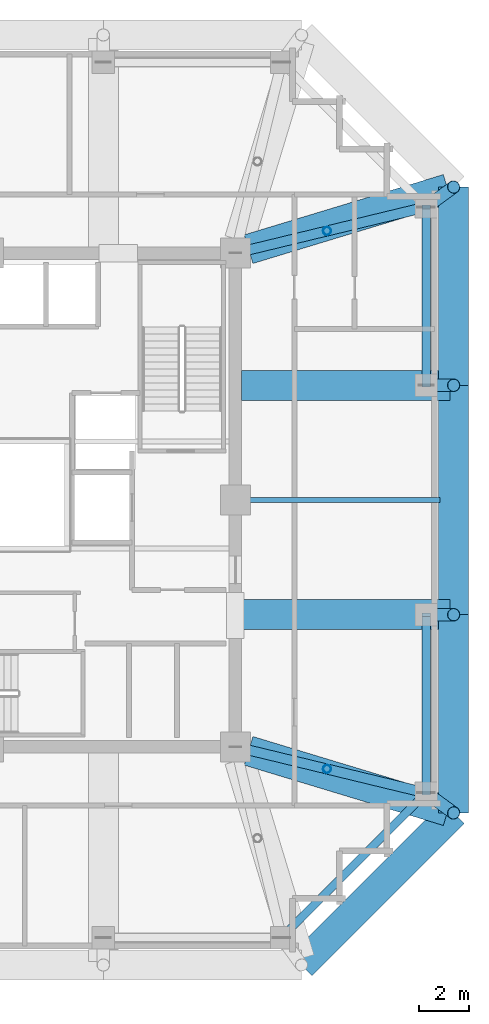
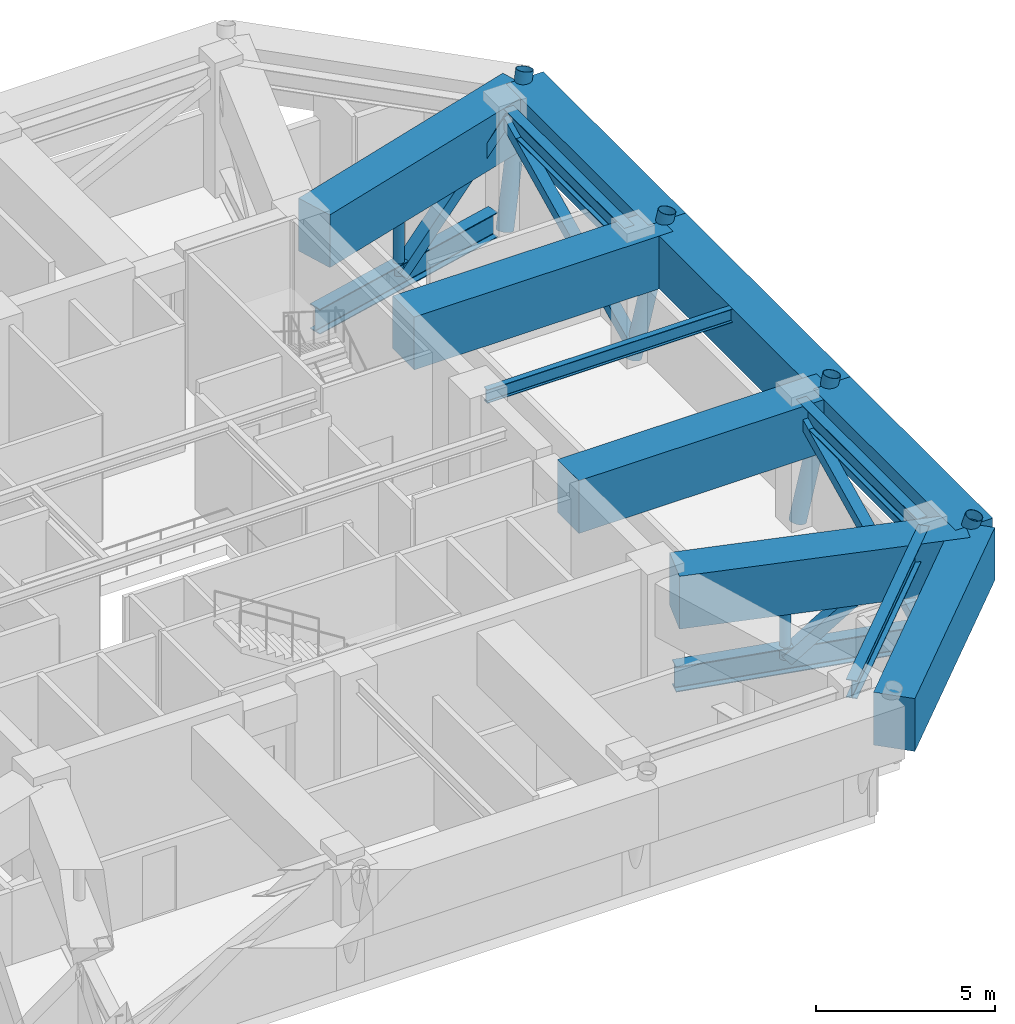
# One storey, part 4 of 12: 14 beams, 10 members.
"""IFC4 building model written with IfcOpenShell, lengths in metres."""

from ifc_helpers import new_model, si_unit, direction, frame, origin, origin_2d, place, context, subcontext, project, spatial, rectangle, hollow_rectangle, hollow_circle, i_section, extrude, material, material_profile, profile_set, type_object, element, save


model = new_model("IFC4")

# Units and contexts
model_context = context("Model", 3, precision=1e-05, world=origin(), true_north=direction((0.0, 1.0)))
body_context = subcontext(model_context, "Body", "Model", "MODEL_VIEW")
ifc_project = project(units=[si_unit("LENGTHUNIT", "METRE"), si_unit("AREAUNIT", "SQUARE_METRE"), si_unit("VOLUMEUNIT", "CUBIC_METRE"), si_unit("PLANEANGLEUNIT", "RADIAN"), si_unit("MASSUNIT", "GRAM", prefix="KILO")], contexts=[model_context])

# Site, building, storey
site_placement = place(None, origin())
site = spatial("IfcSite", under=ifc_project, at=site_placement, CompositionType="ELEMENT")
building_placement = place(site_placement, origin())
building = spatial("IfcBuilding", under=site, at=building_placement, Name="Kolvaren Belvedere", CompositionType="ELEMENT")
storey_placement = place(building_placement, frame((0.0, 0.0, 148.10009765625)))
storey = spatial("IfcBuildingStorey", under=building, at=storey_placement, Name="L43", CompositionType="ELEMENT", Elevation=148.10009765625)

# Beams
ifc_material_1 = material(Name="Structural steel ASTM A992 Grade 50", Category="steel")
ifc_material_profile_1 = material_profile(ifc_material_1, i_section(OverallWidth=0.39990234375, OverallDepth=0.85595703125, WebThickness=0.018310546875, FlangeThickness=0.029296875, FilletRadius=0.02490234375, at=origin_2d()), Name="W33X201")
ifc_profile_set_1 = profile_set([ifc_material_profile_1], Name="Structural steel ASTM A992 Grade 50")
beam_type_1 = type_object("IfcBeamType", Name="BM-GIRD-W33X201", PredefinedType="BEAM", material=ifc_profile_set_1)
for number, where, z_axis, x_axis, name in (
    (1, (10.4345703125, -10.029296875, 0.47998046875), (0.971980384182, -0.235061976433, 0.0), (0.235061976433, 0.971980384182, 0.0), "L43 Outrigger Truss Bottom Chord OB-4"),
    (2, (10.4345703125, 10.029296875, 0.47998046875), (0.971980384182, 0.235061976433, 0.0), (-0.235061976433, 0.971980384182, 0.0), "L43 Outrigger Truss Bottom Chord OB-6"),
):
    element("IfcBeam", number, at=place(storey_placement, frame(where, z_axis=z_axis, x_axis=x_axis)), inside=storey, type_object=beam_type_1, Name=name, PredefinedType="BEAM", context=body_context, shape_type="SweptSolid", body=[
        extrude(i_section(OverallWidth=0.39990234375, OverallDepth=0.85595703125, WebThickness=0.018310546875, FlangeThickness=0.029296875, FilletRadius=0.02490234375, at=origin_2d()), origin(), (0.0, 0.0, 1.0), 6.87060546875),
    ])
ifc_material_2 = material(Name="Structural steel ASTM A992 Grade 50", Category="steel")
ifc_material_profile_2 = material_profile(ifc_material_2, i_section(OverallWidth=0.19091796875, OverallDepth=0.4599609375, WebThickness=0.010009765625, FlangeThickness=0.01611328125, FilletRadius=0.014892578125, at=origin_2d()), Name="W18X55")
ifc_profile_set_2 = profile_set([ifc_material_profile_2], Name="Structural steel ASTM A992 Grade 50")
beam_type_2 = type_object("IfcBeamType", Name="BM-JOIST-W18X55", PredefinedType="BEAM", material=ifc_profile_set_2)
beam_1_placement = place(storey_placement, frame((10.14990234375, 0.0, 4.06982421875), z_axis=(1.0, 0.0, 0.0), x_axis=(0.0, 1.0, 0.0)))
element("IfcBeam", 3, at=beam_1_placement, inside=storey, type_object=beam_type_2, Name="L43 East Centre Floor Beam", PredefinedType="BEAM", context=body_context, shape_type="SweptSolid", body=[
    extrude(i_section(OverallWidth=0.19091796875, OverallDepth=0.4599609375, WebThickness=0.010009765625, FlangeThickness=0.01611328125, FilletRadius=0.014892578125, at=origin_2d()), origin(), (0.0, 0.0, 1.0), 7.9501953125),
])
ifc_material_3 = material(Name="Structural steel ASTM A992 Grade 50", Category="steel")
ifc_material_profile_3 = material_profile(ifc_material_3, i_section(OverallWidth=0.324951171875, OverallDepth=0.615966796875, WebThickness=0.013916015625, FlangeThickness=0.021484375, FilletRadius=0.02001953125, at=origin_2d()), Name="W24X117")
ifc_profile_set_3 = profile_set([ifc_material_profile_3], Name="Structural steel ASTM A992 Grade 50")
beam_type_3 = type_object("IfcBeamType", Name="BM-SPAN-W24X117", PredefinedType="SPANDREL", material=ifc_profile_set_3)
beam_2_placement = place(storey_placement, frame((11.893310546875, -17.40673828125, 3.991943359375), z_axis=(0.707106781187, 0.707106781187, 0.0), x_axis=(-0.707106781187, 0.707106781187, 0.0)))
element("IfcBeam", 4, at=beam_2_placement, inside=storey, type_object=beam_type_3, Name="L43 Perimeter Spandrel S4-E1", PredefinedType="SPANDREL", context=body_context, shape_type="SweptSolid", body=[
    extrude(i_section(OverallWidth=0.324951171875, OverallDepth=0.615966796875, WebThickness=0.013916015625, FlangeThickness=0.021484375, FilletRadius=0.02001953125, at=origin_2d()), origin(), (0.0, 0.0, 1.0), 7.797119140625),
])
for number, where, z_axis, x_axis, name in (
    (5, (17.550048828125, -11.547607421875, 3.991943359375), (0.0, 1.0, 0.0), (-1.0, 0.0, 0.0), "L43 Perimeter Spandrel E1-E2"),
    (6, (17.550048828125, 4.802490234375, 3.991943359375), (0.0, 1.0, 0.0), (-1.0, 0.0, 0.0), "L43 Perimeter Spandrel E3-E4"),
):
    element("IfcBeam", number, at=place(storey_placement, frame(where, z_axis=z_axis, x_axis=x_axis)), inside=storey, type_object=beam_type_3, Name=name, PredefinedType="SPANDREL", context=body_context, shape_type="SweptSolid", body=[
        extrude(i_section(OverallWidth=0.324951171875, OverallDepth=0.615966796875, WebThickness=0.013916015625, FlangeThickness=0.021484375, FilletRadius=0.02001953125, at=origin_2d()), origin(), (0.0, 0.0, 1.0), 6.7451171875),
    ])
ifc_material_4 = material(Name="Concrete C50/60", Category="concrete")
ifc_material_profile_4 = material_profile(ifc_material_4, rectangle(XDim=1.199951171875, YDim=1.800048828125, at=origin_2d()), Name="RC 1200X1800")
ifc_profile_set_4 = profile_set([ifc_material_profile_4], Name="Concrete C50/60")
beam_type_4 = type_object("IfcBeamType", Name="BM-TG-1800", PredefinedType="BEAM", material=ifc_profile_set_4)
beam_3_placement = place(storey_placement, frame((12.550048828125, -18.64990234375, 3.39990234375), z_axis=(0.707106781187, 0.707106781187, 0.0), x_axis=(-0.707106781187, 0.707106781187, 0.0)))
element("IfcBeam", 7, at=beam_3_placement, inside=storey, type_object=beam_type_4, Name="L43 Step Transfer Ring Girder S4-E1", PredefinedType="BEAM", context=body_context, shape_type="SweptSolid", body=[
    extrude(rectangle(XDim=1.199951171875, YDim=1.800048828125, at=origin_2d()), origin(), (0.0, 0.0, 1.0), 8.62646484375),
])
beam_4_placement = place(storey_placement, frame((18.64990234375, -12.550048828125, 3.39990234375), z_axis=(0.0, 1.0, 0.0), x_axis=(-1.0, 0.0, 0.0)))
element("IfcBeam", 8, at=beam_4_placement, inside=storey, type_object=beam_type_4, Name="L43 Step Transfer Ring Girder E1-E2", PredefinedType="BEAM", context=body_context, shape_type="SweptSolid", body=[
    extrude(rectangle(XDim=1.199951171875, YDim=1.800048828125, at=origin_2d()), origin(), (0.0, 0.0, 1.0), 7.949951171875),
])
beam_5_placement = place(storey_placement, frame((18.64990234375, -4.60009765625, 3.39990234375), z_axis=(0.0, 1.0, 0.0), x_axis=(-1.0, 0.0, 0.0)))
element("IfcBeam", 9, at=beam_5_placement, inside=storey, type_object=beam_type_4, Name="L43 Step Transfer Ring Girder E2-E3", PredefinedType="BEAM", context=body_context, shape_type="SweptSolid", body=[
    extrude(rectangle(XDim=1.199951171875, YDim=1.800048828125, at=origin_2d()), origin(), (0.0, 0.0, 1.0), 9.2001953125),
])
beam_6_placement = place(storey_placement, frame((18.64990234375, 4.60009765625, 3.39990234375), z_axis=(0.0, 1.0, 0.0), x_axis=(-1.0, 0.0, 0.0)))
element("IfcBeam", 10, at=beam_6_placement, inside=storey, type_object=beam_type_4, Name="L43 Step Transfer Ring Girder E3-E4", PredefinedType="BEAM", context=body_context, shape_type="SweptSolid", body=[
    extrude(rectangle(XDim=1.199951171875, YDim=1.800048828125, at=origin_2d()), origin(), (0.0, 0.0, 1.0), 7.949951171875),
])
for number, where, z_axis, x_axis, name in (
    (11, (10.14990234375, 4.60009765625, 3.39990234375), (1.0, 0.0, 0.0), (0.0, 1.0, 0.0), "L43 East Radial Girder P"),
    (12, (10.14990234375, -4.60009765625, 3.39990234375), (1.0, 0.0, 0.0), (0.0, 1.0, 0.0), "L43 East Radial Girder M"),
):
    element("IfcBeam", number, at=place(storey_placement, frame(where, z_axis=z_axis, x_axis=x_axis)), inside=storey, type_object=beam_type_4, Name=name, PredefinedType="BEAM", context=body_context, shape_type="SweptSolid", body=[
        extrude(rectangle(XDim=1.199951171875, YDim=1.800048828125, at=origin_2d()), origin(), (0.0, 0.0, 1.0), 8.35009765625),
    ])
for number, where, z_axis, x_axis, name in (
    (13, (10.426513671875, -10.059326171875, 3.39990234375), (0.957065007195, -0.289873372359, 0.0), (0.289873372359, 0.957065007195, 0.0), "L43 Corner Core-to-Perimeter Girder CC2-E1"),
    (14, (10.426513671875, 10.059326171875, 3.39990234375), (0.957065007195, 0.289873372359, 0.0), (-0.289873372359, 0.957065007195, 0.0), "L43 Corner Core-to-Perimeter Girder CC3-E4"),
):
    element("IfcBeam", number, at=place(storey_placement, frame(where, z_axis=z_axis, x_axis=x_axis)), inside=storey, type_object=beam_type_4, Name=name, PredefinedType="BEAM", context=body_context, shape_type="SweptSolid", body=[
        extrude(rectangle(XDim=1.199951171875, YDim=1.800048828125, at=origin_2d()), origin(), (0.0, 0.0, 1.0), 8.34228515625),
    ])

# Members
ifc_material_5 = material(Name="Structural steel ASTM A500 Grade C", Category="steel")
ifc_material_profile_5 = material_profile(ifc_material_5, hollow_rectangle(XDim=0.35595703125, YDim=0.35595703125, WallThickness=0.01171875, at=origin_2d()), Name="HSS14X14X1/2")
ifc_profile_set_5 = profile_set([ifc_material_profile_5], Name="Structural steel ASTM A500 Grade C")
member_type_1 = type_object("IfcMemberType", Name="MB-BELT-BRACE", PredefinedType="BRACE", material=ifc_profile_set_5)
for number, where, z_axis, x_axis, name in (
    (15, (17.550048828125, -11.75, 0.47998046875), (0.0, 0.899648500227, 0.436614905884), (-1.0, 0.0, 0.0), "L43 Perimeter Belt Truss Brace BT-7"),
    (16, (17.550048828125, 4.60009765625, 0.47998046875), (0.0, 0.899648500227, 0.436614905884), (-1.0, 0.0, 0.0), "L43 Perimeter Belt Truss Brace BT-8"),
):
    element("IfcMember", number, at=place(storey_placement, frame(where, z_axis=z_axis, x_axis=x_axis)), inside=storey, type_object=member_type_1, Name=name, PredefinedType="BRACE", context=body_context, shape_type="SweptSolid", body=[
        extrude(hollow_rectangle(XDim=0.35595703125, YDim=0.35595703125, WallThickness=0.01171875, at=origin_2d()), origin(), (0.0, 0.0, 1.0), 7.947509765625),
    ])
ifc_material_6 = material(Name="Structural steel ASTM A500 Grade C", Category="steel")
ifc_material_profile_6 = material_profile(ifc_material_6, hollow_circle(Radius=0.162109375, WallThickness=0.01171875, at=origin_2d()), Name="HSS12.750X0.500")
ifc_profile_set_6 = profile_set([ifc_material_profile_6], Name="Structural steel ASTM A500 Grade C")
member_type_2 = type_object("IfcMemberType", Name="MB-CAN-POST", PredefinedType="POST", material=ifc_profile_set_6)
for number, where, z_axis, x_axis, name in (
    (17, (13.572021484375, -10.7880859375, 0.47998046875), (0.0, 0.0, 1.0), (1.0, 0.0, 0.0), "L43 Outrigger Portal Post OP-4"),
    (18, (13.572021484375, 10.7880859375, 0.47998046875), (0.0, 0.0, 1.0), (1.0, 0.0, 0.0), "L43 Outrigger Portal Post OP-6"),
):
    element("IfcMember", number, at=place(storey_placement, frame(where, z_axis=z_axis, x_axis=x_axis)), inside=storey, type_object=member_type_2, Name=name, PredefinedType="POST", context=body_context, shape_type="SweptSolid", body=[
        extrude(hollow_circle(Radius=0.162109375, WallThickness=0.01171875, at=origin_2d()), origin(), (0.0, 0.0, 1.0), 3.469970703125),
    ])
ifc_material_7 = material(Name="Structural steel ASTM A500 Grade C", Category="steel")
ifc_material_profile_7 = material_profile(ifc_material_7, hollow_rectangle(XDim=0.406005859375, YDim=0.406005859375, WallThickness=0.014892578125, at=origin_2d()), Name="HSS16X16X5/8")
ifc_profile_set_7 = profile_set([ifc_material_profile_7], Name="Structural steel ASTM A500 Grade C")
member_type_3 = type_object("IfcMemberType", Name="MB-OUTRIGGER", PredefinedType="BRACE", material=ifc_profile_set_7)
for number, where, z_axis, x_axis, name in (
    (19, (13.572021484375, -10.7880859375, 0.47998046875), (0.741381639136, -0.179271121775, 0.646695546645), (0.235033151904, 0.971987354602, 0.0), "L43 Outrigger Truss Diagonal OT-4A"),
    (20, (13.572021484375, 10.7880859375, 0.47998046875), (0.741381639136, 0.179271121775, 0.646695546645), (-0.235033151904, 0.971987354602, 0.0), "L43 Outrigger Truss Diagonal OT-6A"),
):
    element("IfcMember", number, at=place(storey_placement, frame(where, z_axis=z_axis, x_axis=x_axis)), inside=storey, type_object=member_type_3, Name=name, PredefinedType="BRACE", context=body_context, shape_type="SweptSolid", body=[
        extrude(hollow_rectangle(XDim=0.406005859375, YDim=0.406005859375, WallThickness=0.014892578125, at=origin_2d()), origin(), (0.0, 0.0, 1.0), 5.36572265625),
    ])
ifc_material_8 = material(Name="Structural steel ASTM A500 Grade C", Category="steel")
ifc_material_profile_8 = material_profile(ifc_material_8, hollow_circle(Radius=0.25390625, WallThickness=0.01171875, at=origin_2d()), Name="HSS20.000X0.500")
ifc_profile_set_8 = profile_set([ifc_material_profile_8], Name="Structural steel ASTM A500 Grade C")
member_type_4 = type_object("IfcMemberType", Name="MB-WAIST-STRUT", PredefinedType="STRUT", material=ifc_profile_set_8)
member_1_placement = place(storey_placement, frame((17.550048828125, -11.75, 0.0), z_axis=(0.229293403104, -0.166791227963, 0.958960490097), x_axis=(0.58824640914, 0.808681743416, 0.0)))
element("IfcMember", 21, at=member_1_placement, inside=storey, type_object=member_type_4, Name="L43 Inclined Waist Transition Strut E1", PredefinedType="STRUT", context=body_context, shape_type="SweptSolid", body=[
    extrude(hollow_circle(Radius=0.25390625, WallThickness=0.01171875, at=origin_2d()), origin(), (0.0, 0.0, 1.0), 4.796630859375),
])
for number, where, z_axis, x_axis, name in (
    (22, (17.550048828125, -4.60009765625, 0.0), (0.232550921911, 0.0, 0.972584221915), (0.0, 1.0, 0.0), "L43 Inclined Waist Transition Strut E2"),
    (23, (17.550048828125, 4.60009765625, 0.0), (0.232550921911, 0.0, 0.972584221915), (0.0, 1.0, 0.0), "L43 Inclined Waist Transition Strut E3"),
):
    element("IfcMember", number, at=place(storey_placement, frame(where, z_axis=z_axis, x_axis=x_axis)), inside=storey, type_object=member_type_4, Name=name, PredefinedType="STRUT", context=body_context, shape_type="SweptSolid", body=[
        extrude(hollow_circle(Radius=0.25390625, WallThickness=0.01171875, at=origin_2d()), origin(), (0.0, 0.0, 1.0), 4.7294921875),
    ])
member_2_placement = place(storey_placement, frame((17.550048828125, 11.75, 0.0), z_axis=(0.229293403104, 0.166791227963, 0.958960490097), x_axis=(-0.58824640914, 0.808681743416, 0.0)))
element("IfcMember", 24, at=member_2_placement, inside=storey, type_object=member_type_4, Name="L43 Inclined Waist Transition Strut E4", PredefinedType="STRUT", context=body_context, shape_type="SweptSolid", body=[
    extrude(hollow_circle(Radius=0.25390625, WallThickness=0.01171875, at=origin_2d()), origin(), (0.0, 0.0, 1.0), 4.796630859375),
])

save(model, "model.ifc")
